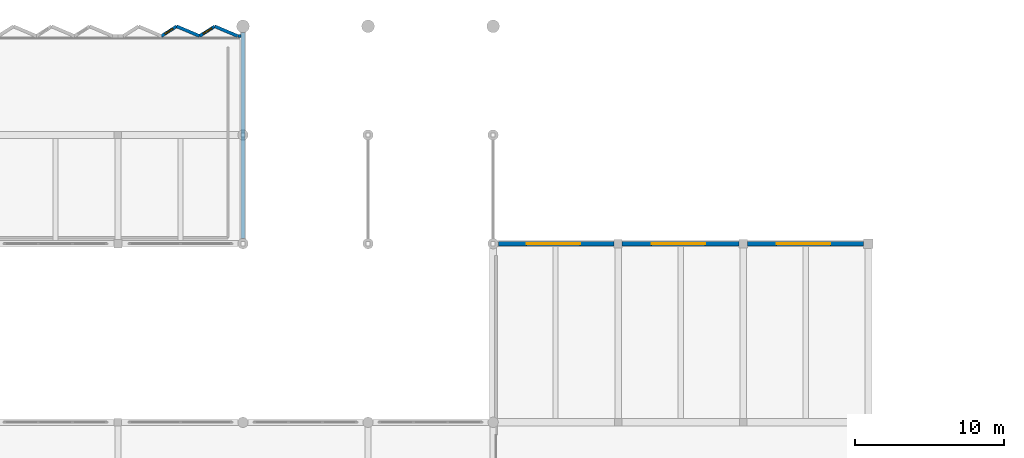
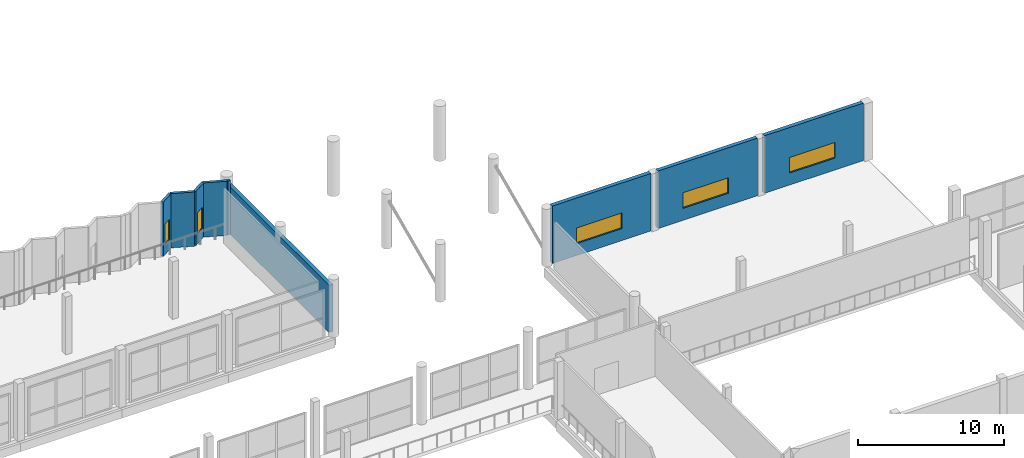
# One storey, part 38 of 47: 9 walls, 5 windows, 5 openings.
"""IFC4 building model written with IfcOpenShell, lengths in metres."""

from ifc_helpers import new_model, si_unit, direction, frame, frame_2d, origin, place, context, subcontext, project, spatial, rectangle, extrude, material, layer, layer_set, type_object, element, fill, save


model = new_model("IFC4")

# Units and contexts
model_context = context("Model", 3, precision=1e-05, world=origin(), true_north=direction((0.0, 1.0)))
body_context = subcontext(model_context, "Body", "Model", "MODEL_VIEW")
ifc_project = project(units=[si_unit("LENGTHUNIT", "METRE"), si_unit("AREAUNIT", "SQUARE_METRE"), si_unit("VOLUMEUNIT", "CUBIC_METRE"), si_unit("PLANEANGLEUNIT", "RADIAN"), si_unit("MASSUNIT", "GRAM", prefix="KILO")], contexts=[model_context])

# Site, building, storey
site_placement = place(None, origin())
site = spatial("IfcSite", under=ifc_project, at=site_placement, CompositionType="ELEMENT")
building_placement = place(site_placement, origin())
building = spatial("IfcBuilding", under=site, at=building_placement, Name="Vharandega Faculty of Natural Sciences", CompositionType="ELEMENT")
storey_placement = place(building_placement, frame((0.0, 0.0, 5.39990234375)))
storey = spatial("IfcBuildingStorey", under=building, at=storey_placement, Name="L01", CompositionType="ELEMENT", Elevation=5.39990234375)

# Wall
ifc_material_1 = material(Name="Precast concrete C40/50", Category="concrete")
ifc_layer_1 = layer(ifc_material_1, 0.2099609375, Name="Precast concrete C40/50")
ifc_layer_set_1 = layer_set([ifc_layer_1], Name="Precast concrete C40/50")
wall_type_1 = type_object("IfcWallType", Name="Commons Sawtooth Street Wall 210", PredefinedType="SOLIDWALL", material=ifc_layer_set_1)
wall_1_placement = place(storey_placement, frame((72.449951171875, 110.949951171875, 0.0), z_axis=(0.0, 0.0, 1.0), x_axis=(1.0, 0.0, 0.0)))
element("IfcWall", 1, at=wall_1_placement, inside=storey, type_object=wall_type_1, Name="Exterior Wall EW-V2SHL-L01-10R", PredefinedType="SOLIDWALL", context=body_context, shape_type="SweptSolid", body=[
    extrude(rectangle(XDim=0.205078125, YDim=0.2099609375, at=frame_2d((0.1025390625, 0.0))), origin(), (0.0, 0.0, 1.0), 4.52001953125),
])

# Wall, opening, window
wall_2_placement = place(storey_placement, frame((67.320068359375, 110.949951171875, 0.0), z_axis=(0.0, 0.0, 1.0), x_axis=(0.844199803058, 0.536028630315, 0.0)))
wall_2 = element("IfcWall", 2, at=wall_2_placement, inside=storey, type_object=wall_type_1, Name="Exterior Wall EW-V2SAW-L01-26G", PredefinedType="SOLIDWALL", context=body_context, shape_type="SweptSolid", body=[
    extrude(rectangle(XDim=1.212890625, YDim=0.2099609375, at=frame_2d((0.6064453125, 0.0))), origin(), (0.0, 0.0, 1.0), 4.52001953125),
])
opening_1_placement = place(wall_2_placement, frame((0.280029296875, 0.0, 0.85009765625)))
opening_1 = element("IfcOpeningElement", 3, at=opening_1_placement, cuts=wall_2, Name="Opening WN-07", PredefinedType="OPENING", context=body_context, shape_type="SweptSolid", body=[
    extrude(rectangle(XDim=0.64990234375, YDim=1.699951171875, at=frame_2d((0.324951171875, 0.85009765625))), frame((0.0, 0.114990234375, 0.0), z_axis=(0.0, -1.0, 0.0), x_axis=(1.0, 0.0, 0.0)), (0.0, 0.0, 1.0), 0.22998046875),
])
ifc_material_2 = material(Name="Double-glazed solar-control glass in thermally broken aluminium frame", Category="aluminium")
window_type_1 = type_object("IfcWindowType", Name="WIN-COM-065x170", PartitioningType="SINGLE_PANEL", PredefinedType="WINDOW", material=ifc_material_2)
window_1_placement = place(opening_1_placement, origin())
window_1 = element("IfcWindow", 4, at=window_1_placement, inside=storey, type_object=window_type_1, Name="Window WIN-L01-0168", OverallHeight=1.699951171875, OverallWidth=0.64990234375, PartitioningType="SINGLE_PANEL", PredefinedType="WINDOW", context=body_context, shape_type="SweptSolid", body=[
    extrude(rectangle(XDim=0.64990234375, YDim=1.699951171875, at=frame_2d((0.324951171875, 0.85009765625))), frame((0.0, 0.030029296875, 0.0), z_axis=(0.0, -1.0, 0.0), x_axis=(1.0, 0.0, 0.0)), (0.0, 0.0, 1.0), 0.06005859375),
])
fill(opening_1, window_1)

# Wall
wall_3_placement = place(storey_placement, frame((68.343994140625, 111.60009765625, 0.0), z_axis=(0.0, 0.0, 1.0), x_axis=(0.920892481687, -0.389816671234, 0.0)))
element("IfcWall", 5, at=wall_3_placement, inside=storey, type_object=wall_type_1, Name="Exterior Wall EW-V2SAW-L01-26S", PredefinedType="SOLIDWALL", context=body_context, shape_type="SweptSolid", body=[
    extrude(rectangle(XDim=1.667724609375, YDim=0.2099609375, at=frame_2d((0.833984375, 0.0))), origin(), (0.0, 0.0, 1.0), 4.52001953125),
])

# Wall, opening, window
wall_4_placement = place(storey_placement, frame((69.8798828125, 110.949951171875, 0.0), z_axis=(0.0, 0.0, 1.0), x_axis=(0.844257623592, 0.535937557003, 0.0)))
wall_4 = element("IfcWall", 6, at=wall_4_placement, inside=storey, type_object=wall_type_1, Name="Exterior Wall EW-V2SAW-L01-27G", PredefinedType="SOLIDWALL", context=body_context, shape_type="SweptSolid", body=[
    extrude(rectangle(XDim=1.213134765625, YDim=0.2099609375, at=frame_2d((0.6064453125, 0.0))), origin(), (0.0, 0.0, 1.0), 4.52001953125),
])
opening_2_placement = place(wall_4_placement, frame((0.280029296875, 0.0, 0.85009765625)))
opening_2 = element("IfcOpeningElement", 7, at=opening_2_placement, cuts=wall_4, Name="Opening WN-08", PredefinedType="OPENING", context=body_context, shape_type="SweptSolid", body=[
    extrude(rectangle(XDim=0.699951171875, YDim=1.75, at=frame_2d((0.35009765625, 0.875))), frame((0.0, 0.114990234375, 0.0), z_axis=(0.0, -1.0, 0.0), x_axis=(1.0, 0.0, 0.0)), (0.0, 0.0, 1.0), 0.22998046875),
])
ifc_material_3 = material(Name="Double-glazed solar-control glass in thermally broken aluminium frame", Category="aluminium")
window_type_2 = type_object("IfcWindowType", Name="WIN-COM-070x175", PartitioningType="SINGLE_PANEL", PredefinedType="WINDOW", material=ifc_material_3)
window_2_placement = place(opening_2_placement, origin())
window_2 = element("IfcWindow", 8, at=window_2_placement, inside=storey, type_object=window_type_2, Name="Window WIN-L01-0169", OverallHeight=1.75, OverallWidth=0.699951171875, PartitioningType="SINGLE_PANEL", PredefinedType="WINDOW", context=body_context, shape_type="SweptSolid", body=[
    extrude(rectangle(XDim=0.699951171875, YDim=1.75, at=frame_2d((0.35009765625, 0.875))), frame((0.0, 0.030029296875, 0.0), z_axis=(0.0, -1.0, 0.0), x_axis=(1.0, 0.0, 0.0)), (0.0, 0.0, 1.0), 0.06005859375),
])
fill(opening_2, window_2)

# Walls
wall_5_placement = place(storey_placement, frame((70.904052734375, 111.60009765625, 0.0), z_axis=(0.0, 0.0, 1.0), x_axis=(0.920892481687, -0.389816671234, 0.0)))
element("IfcWall", 9, at=wall_5_placement, inside=storey, type_object=wall_type_1, Name="Exterior Wall EW-V2SAW-L01-27S", PredefinedType="SOLIDWALL", context=body_context, shape_type="SweptSolid", body=[
    extrude(rectangle(XDim=1.667724609375, YDim=0.2099609375, at=frame_2d((0.833984375, 0.0))), origin(), (0.0, 0.0, 1.0), 4.52001953125),
])
ifc_material_4 = material(Name="Precast concrete C40/50", Category="concrete")
ifc_layer_2 = layer(ifc_material_4, 0.300048828125, Name="Precast concrete C40/50")
ifc_layer_set_2 = layer_set([ifc_layer_2], Name="Precast concrete C40/50")
wall_type_2 = type_object("IfcWallType", Name="Polychrome Precast Facade Wall 300", PredefinedType="SOLIDWALL", material=ifc_layer_set_2)
wall_6_placement = place(storey_placement, frame((72.800048828125, 111.177001953125, 0.0), z_axis=(0.0, 0.0, 1.0), x_axis=(0.0, -1.0, 0.0)))
element("IfcWall", 10, at=wall_6_placement, inside=storey, type_object=wall_type_2, Name="Exterior Wall EW-V2E-L01", PredefinedType="SOLIDWALL", context=body_context, shape_type="SweptSolid", body=[
    extrude(rectangle(XDim=13.8291015625, YDim=0.300048828125, at=frame_2d((6.91455078125, 0.0))), origin(), (0.0, 0.0, 1.0), 3.940185546875),
])

# Wall, opening, window
wall_7_placement = place(storey_placement, frame((89.947998046875, 97.0, 0.0), z_axis=(0.0, 0.0, 1.0), x_axis=(1.0, 0.0, 0.0)))
wall_7 = element("IfcWall", 11, at=wall_7_placement, inside=storey, type_object=wall_type_2, Name="Exterior Wall EW-L01-V1N-1", PredefinedType="SOLIDWALL", context=body_context, shape_type="SweptSolid", body=[
    extrude(rectangle(XDim=7.779052734375, YDim=0.300048828125, at=frame_2d((3.8896484375, 0.0))), origin(), (0.0, 0.0, 1.0), 4.800048828125),
])
opening_3_placement = place(wall_7_placement, frame((1.902099609375, 0.0, 1.0)))
opening_3 = element("IfcOpeningElement", 12, at=opening_3_placement, cuts=wall_7, Name="Opening SK-01", PredefinedType="OPENING", context=body_context, shape_type="SweptSolid", body=[
    extrude(rectangle(XDim=3.60009765625, YDim=1.300048828125, at=frame_2d((1.800048828125, 0.64990234375))), frame((0.0, 0.16015625, 0.0), z_axis=(0.0, -1.0, 0.0), x_axis=(1.0, 0.0, 0.0)), (0.0, 0.0, 1.0), 0.320068359375),
])
ifc_material_5 = material(Name="Double-glazed solar-control glass in thermally broken aluminium frame", Category="aluminium")
window_type_3 = type_object("IfcWindowType", Name="SKY-CLR-360x130", PartitioningType="DOUBLE_PANEL_VERTICAL", PredefinedType="SKYLIGHT", material=ifc_material_5)
window_3_placement = place(opening_3_placement, origin())
window_3 = element("IfcWindow", 13, at=window_3_placement, inside=storey, type_object=window_type_3, Name="Window WIN-L01-0198", OverallHeight=1.300048828125, OverallWidth=3.60009765625, PartitioningType="SINGLE_PANEL", PredefinedType="SKYLIGHT", context=body_context, shape_type="SweptSolid", body=[
    extrude(rectangle(XDim=3.60009765625, YDim=1.300048828125, at=frame_2d((1.800048828125, 0.64990234375))), frame((0.0, 0.030029296875, 0.0), z_axis=(0.0, -1.0, 0.0), x_axis=(1.0, 0.0, 0.0)), (0.0, 0.0, 1.0), 0.06005859375),
])
fill(opening_3, window_3)

wall_8_placement = place(storey_placement, frame((98.27294921875, 97.0, 0.0), z_axis=(0.0, 0.0, 1.0), x_axis=(1.0, 0.0, 0.0)))
wall_8 = element("IfcWall", 14, at=wall_8_placement, inside=storey, type_object=wall_type_2, Name="Exterior Wall EW-L01-V1N-2", PredefinedType="SOLIDWALL", context=body_context, shape_type="SweptSolid", body=[
    extrude(rectangle(XDim=7.85400390625, YDim=0.300048828125, at=frame_2d((3.927001953125, 0.0))), origin(), (0.0, 0.0, 1.0), 4.800048828125),
])
opening_4_placement = place(wall_8_placement, frame((1.97705078125, 0.0, 1.0)))
opening_4 = element("IfcOpeningElement", 15, at=opening_4_placement, cuts=wall_8, Name="Opening SK-01", PredefinedType="OPENING", context=body_context, shape_type="SweptSolid", body=[
    extrude(rectangle(XDim=3.60009765625, YDim=1.300048828125, at=frame_2d((1.800048828125, 0.64990234375))), frame((0.0, 0.16015625, 0.0), z_axis=(0.0, -1.0, 0.0), x_axis=(1.0, 0.0, 0.0)), (0.0, 0.0, 1.0), 0.320068359375),
])
window_4_placement = place(opening_4_placement, origin())
window_4 = element("IfcWindow", 16, at=window_4_placement, inside=storey, type_object=window_type_3, Name="Window WIN-L01-0199", OverallHeight=1.300048828125, OverallWidth=3.60009765625, PartitioningType="SINGLE_PANEL", PredefinedType="SKYLIGHT", context=body_context, shape_type="SweptSolid", body=[
    extrude(rectangle(XDim=3.60009765625, YDim=1.300048828125, at=frame_2d((1.800048828125, 0.64990234375))), frame((0.0, 0.030029296875, 0.0), z_axis=(0.0, -1.0, 0.0), x_axis=(1.0, 0.0, 0.0)), (0.0, 0.0, 1.0), 0.06005859375),
])
fill(opening_4, window_4)

wall_9_placement = place(storey_placement, frame((106.673095703125, 97.0, 0.0), z_axis=(0.0, 0.0, 1.0), x_axis=(1.0, 0.0, 0.0)))
wall_9 = element("IfcWall", 17, at=wall_9_placement, inside=storey, type_object=wall_type_2, Name="Exterior Wall EW-L01-V1N-3", PredefinedType="SOLIDWALL", context=body_context, shape_type="SweptSolid", body=[
    extrude(rectangle(XDim=7.803955078125, YDim=0.300048828125, at=frame_2d((3.90185546875, 0.0))), origin(), (0.0, 0.0, 1.0), 4.800048828125),
])
opening_5_placement = place(wall_9_placement, frame((1.97705078125, 0.0, 1.0)))
opening_5 = element("IfcOpeningElement", 18, at=opening_5_placement, cuts=wall_9, Name="Opening SK-01", PredefinedType="OPENING", context=body_context, shape_type="SweptSolid", body=[
    extrude(rectangle(XDim=3.60009765625, YDim=1.300048828125, at=frame_2d((1.800048828125, 0.64990234375))), frame((0.0, 0.16015625, 0.0), z_axis=(0.0, -1.0, 0.0), x_axis=(1.0, 0.0, 0.0)), (0.0, 0.0, 1.0), 0.320068359375),
])
window_5_placement = place(opening_5_placement, origin())
window_5 = element("IfcWindow", 19, at=window_5_placement, inside=storey, type_object=window_type_3, Name="Window WIN-L01-0200", OverallHeight=1.300048828125, OverallWidth=3.60009765625, PartitioningType="SINGLE_PANEL", PredefinedType="SKYLIGHT", context=body_context, shape_type="SweptSolid", body=[
    extrude(rectangle(XDim=3.60009765625, YDim=1.300048828125, at=frame_2d((1.800048828125, 0.64990234375))), frame((0.0, 0.030029296875, 0.0), z_axis=(0.0, -1.0, 0.0), x_axis=(1.0, 0.0, 0.0)), (0.0, 0.0, 1.0), 0.06005859375),
])
fill(opening_5, window_5)

save(model, "model.ifc")
